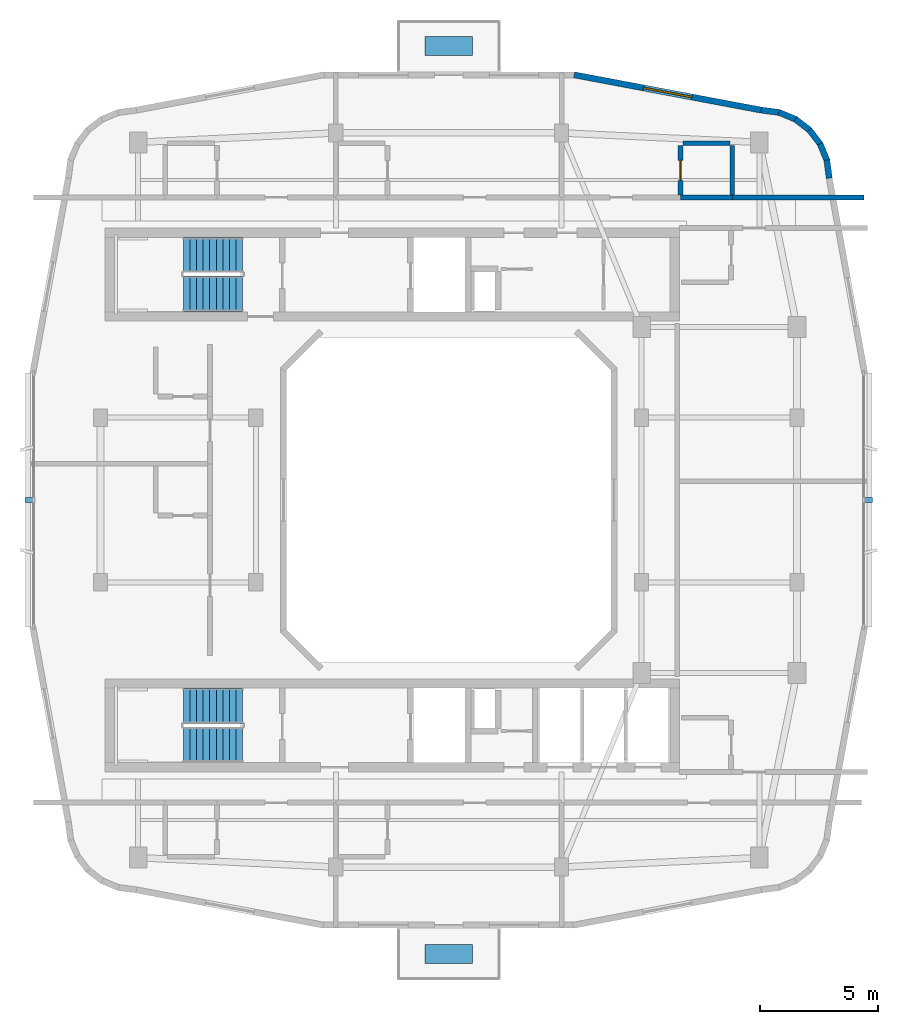
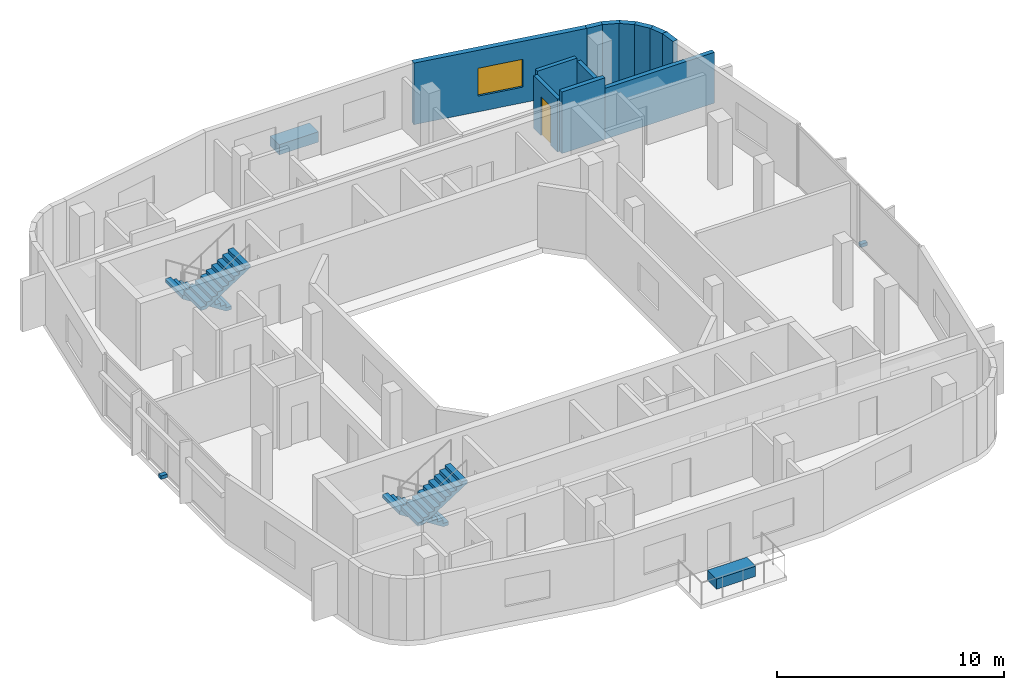
# One storey, part 7 of 10: 12 walls, 4 discrete accessories, 4 stair flights, 1 door, 1 window, 2 openings, 2 elements without a shape of their own.
"""IFC4 building model written with IfcOpenShell, lengths in metres."""

import ifcopenshell
import ifcopenshell.guid

model = None  # the IFC model being written
_history = None  # IfcOwnerHistory: only IFC2X3 demands one
_inside = {}  # id of a spatial element -> (the spatial element, [elements in it])
_under = {}  # id of a project, library or spatial element -> (it, [spatial elements below it])
_declared = {}  # id of a project -> (the project, [libraries it declares])
_typed = {}  # id of a type object -> (the type object, [elements of that type])
_made_of = {}  # id of a material, layer set ... -> (it, [elements and type objects made of it])


def new_model(schema):
    """Start an empty IFC model of exactly this schema.

    Asked for "IFC4X3", IfcOpenShell would pick the latest addendum, in which some entities
    have other attributes; the version numbers below select the first issue.
    IFC2X3 requires an IfcOwnerHistory on every rooted entity: one is made here for all.
    """
    global model, _history
    if schema == "IFC4X3":
        model = ifcopenshell.file(schema_version=(4, 3, 0, 0))
    else:
        model = ifcopenshell.file(schema=schema)
    _inside.clear()
    _under.clear()
    _declared.clear()
    _typed.clear()
    _made_of.clear()
    _history = None
    if model.schema == "IFC2X3":
        org = make("IfcOrganization", Name="unknown")
        user = make(
            "IfcPersonAndOrganization",
            ThePerson=make("IfcPerson", FamilyName="unknown"),
            TheOrganization=org,
        )
        app = make(
            "IfcApplication",
            ApplicationDeveloper=org,
            Version="unknown",
            ApplicationFullName="unknown",
            ApplicationIdentifier="unknown",
        )
        _history = make(
            "IfcOwnerHistory",
            OwningUser=user,
            OwningApplication=app,
            ChangeAction="ADDED",
            CreationDate=0,
        )
    return model


def make(cls, **values):
    """One entity of the class cls with the attributes given. An attribute that is None is left unset."""
    return model.create_entity(
        cls, **{name: value for name, value in values.items() if value is not None}
    )


def rooted(cls, **values):
    """An entity with a GlobalId (a new one), such as an element, a storey or a relation."""
    return make(cls, GlobalId=ifcopenshell.guid.new(), OwnerHistory=_history, **values)


def si_unit(unit_type, name, prefix=None):
    """IfcSIUnit, for example si_unit("LENGTHUNIT", "METRE", prefix="MILLI")."""
    return make("IfcSIUnit", UnitType=unit_type, Prefix=prefix, Name=name)


def derived_unit(unit_type, elements):
    """IfcDerivedUnit: a product of units, each with its exponent."""
    return make(
        "IfcDerivedUnit",
        Elements=[
            make("IfcDerivedUnitElement", Unit=unit, Exponent=power)
            for unit, power in elements
        ],
        UnitType=unit_type,
    )


def assignment(units):
    """IfcUnitAssignment: the units of a project."""
    return None if units is None else make("IfcUnitAssignment", Units=units)


def point(xyz):
    """IfcCartesianPoint."""
    return None if xyz is None else make("IfcCartesianPoint", Coordinates=xyz)


def direction(xyz):
    """IfcDirection."""
    return None if xyz is None else make("IfcDirection", DirectionRatios=xyz)


def frame(location, z_axis=None, x_axis=None):
    """IfcAxis2Placement3D, a coordinate frame: its origin and axes. An axis left out is left unset."""
    return make(
        "IfcAxis2Placement3D",
        Location=point(location),
        Axis=direction(z_axis),
        RefDirection=direction(x_axis),
    )


def frame_2d(location, x_axis=None):
    """IfcAxis2Placement2D, a coordinate frame in the plane: its origin and x axis."""
    return make(
        "IfcAxis2Placement2D", Location=point(location), RefDirection=direction(x_axis)
    )


def origin():
    """The frame at (0, 0, 0) with its axes left unset."""
    return frame((0.0, 0.0, 0.0))


def origin_2d():
    """The frame at (0, 0) in the plane with its x axis left unset."""
    return frame_2d((0.0, 0.0))


def place(relative_to, where):
    """IfcLocalPlacement: puts the frame where relative to a parent placement (None: the world)."""
    return make(
        "IfcLocalPlacement", PlacementRelTo=relative_to, RelativePlacement=where
    )


def context(
    kind, dimensions, precision=None, world=None, true_north=None, identifier=None
):
    """IfcGeometricRepresentationContext, for example the 3D "Model" context."""
    return make(
        "IfcGeometricRepresentationContext",
        ContextIdentifier=identifier,
        ContextType=kind,
        CoordinateSpaceDimension=dimensions,
        Precision=precision,
        WorldCoordinateSystem=world,
        TrueNorth=true_north,
    )


def subcontext(parent, identifier, kind, view, scale=None):
    """IfcGeometricRepresentationSubContext, for example "Body" below "Model"."""
    return make(
        "IfcGeometricRepresentationSubContext",
        ContextIdentifier=identifier,
        ContextType=kind,
        ParentContext=parent,
        TargetScale=scale,
        TargetView=view,
    )


def project(units=None, contexts=None):
    """IfcProject with its units and contexts."""
    return rooted(
        "IfcProject",
        Name="project",
        RepresentationContexts=contexts,
        UnitsInContext=assignment(units),
    )


def spatial(cls, under=None, at=None, **own):
    """A site, building, storey or space (cls), placed at a placement, below another one or the project."""
    s = rooted(cls, ObjectPlacement=at, **own)
    if under is not None:
        _under.setdefault(under.id(), (under, []))[1].append(s)
    return s


def polyline(points):
    """IfcPolyline through the points."""
    return make("IfcPolyline", Points=[point(p) for p in points])


def profile(cls, at=None, kind="AREA", **sizes):
    """A parametric profile (cls). Its sizes go by their IFC names, for example OverallWidth=200.0."""
    return make(cls, ProfileType=kind, Position=at, **sizes)


def rectangle(**sizes):
    """IfcRectangleProfileDef."""
    return profile("IfcRectangleProfileDef", **sizes)


def outline(outer, holes=None, kind="AREA"):
    """IfcArbitraryClosedProfileDef: a profile drawn as a closed curve; with holes, ...WithVoids."""
    if holes is None:
        return make("IfcArbitraryClosedProfileDef", ProfileType=kind, OuterCurve=outer)
    return make(
        "IfcArbitraryProfileDefWithVoids",
        ProfileType=kind,
        OuterCurve=outer,
        InnerCurves=holes,
    )


def extrude(swept, where, along, depth):
    """IfcExtrudedAreaSolid: the profile swept, set in the frame where, extruded along a direction by depth."""
    return make(
        "IfcExtrudedAreaSolid",
        SweptArea=swept,
        Position=where,
        ExtrudedDirection=direction(along),
        Depth=depth,
    )


def shape(context_of_items, identifier, shape_type, items):
    """IfcShapeRepresentation: the items that make up one representation, for example the "Body"."""
    return make(
        "IfcShapeRepresentation",
        ContextOfItems=context_of_items,
        RepresentationIdentifier=identifier,
        RepresentationType=shape_type,
        Items=items,
    )


def material(Name=None, Category=None):
    """IfcMaterial."""
    return make("IfcMaterial", Name=Name, Category=Category)


def layer(
    of_material, thickness, ventilated=None, Name=None, Category=None, Priority=None
):
    """IfcMaterialLayer: one layer of a wall or slab, of a material (None: an air gap)."""
    return make(
        "IfcMaterialLayer",
        Material=of_material,
        LayerThickness=thickness,
        IsVentilated=ventilated,
        Name=Name,
        Category=Category,
        Priority=Priority,
    )


def layer_set(layers, Name=None):
    """IfcMaterialLayerSet."""
    return make("IfcMaterialLayerSet", MaterialLayers=layers, LayerSetName=Name)


def made_of(thing, what):
    """Note that an element or type object is made of a material, layer set ...; save() writes the relation."""
    if what is not None:
        _made_of.setdefault(what.id(), (what, []))[1].append(thing)
    return thing


def type_object(cls, material=None, **own):
    """A type object (cls), such as IfcWallType, which elements share."""
    return made_of(rooted(cls, **own), material)


def element(
    cls,
    number,
    at=None,
    inside=None,
    cuts=None,
    type_object=None,
    material=None,
    context=None,
    identifier="Body",
    shape_type=None,
    held_by="IfcProductDefinitionShape",
    body=None,
    shapes=None,
    **own,
):
    """One element of the class cls, such as IfcWall. Its Tag is "e" and its number.

    at: its placement. inside: the storey or other place that contains it. cuts: it is an
    opening in that element (IfcRelVoidsElement). A single representation is given by context,
    identifier, shape_type and body (its items); several are given by shapes. held_by: the class
    of the entity that holds the representations. save() writes the other relations.
    """
    e = rooted(cls, Tag="e%d" % number, ObjectPlacement=at, **own)
    if body is not None:
        shapes = [shape(context, identifier, shape_type, body)]
    if shapes is not None:
        e.Representation = make(held_by, Representations=shapes)
    if inside is not None:
        _inside.setdefault(inside.id(), (inside, []))[1].append(e)
    if cuts is not None:
        rooted(
            "IfcRelVoidsElement", RelatingBuildingElement=cuts, RelatedOpeningElement=e
        )
    if type_object is not None:
        _typed.setdefault(type_object.id(), (type_object, []))[1].append(e)
    return made_of(e, material)


def fill(opening, filler):
    """IfcRelFillsElement: the door or window that sits in an opening."""
    return rooted(
        "IfcRelFillsElement",
        RelatingOpeningElement=opening,
        RelatedBuildingElement=filler,
    )


def aggregate(whole, parts):
    """IfcRelAggregates: a whole, such as a stair, and the parts it consists of."""
    return rooted("IfcRelAggregates", RelatingObject=whole, RelatedObjects=parts)


def save(model, path):
    """Write the relations noted so far, then the file.

    IfcRelAggregates (storeys below a building ...), IfcRelContainedInSpatialStructure (elements
    in a storey), IfcRelDefinesByType, IfcRelAssociatesMaterial and IfcRelDeclares: one each for
    every whole, place, type object, material and project.
    """
    for whole, parts in _under.values():
        aggregate(whole, parts)
    for where, things in _inside.values():
        rooted(
            "IfcRelContainedInSpatialStructure",
            RelatedElements=things,
            RelatingStructure=where,
        )
    for kind, things in _typed.values():
        rooted("IfcRelDefinesByType", RelatedObjects=things, RelatingType=kind)
    for what, things in _made_of.values():
        rooted("IfcRelAssociatesMaterial", RelatedObjects=things, RelatingMaterial=what)
    for by, libraries in _declared.values():
        rooted("IfcRelDeclares", RelatingContext=by, RelatedDefinitions=libraries)
    model.write(path)


model = new_model("IFC4")

# Units and contexts
model_context = context("Model", 3, precision=1e-05, world=origin(), true_north=direction((0.0, 1.0)))
body_context = subcontext(model_context, "Body", "Model", "MODEL_VIEW")
ifc_project = project(units=[si_unit("LENGTHUNIT", "METRE"), si_unit("AREAUNIT", "SQUARE_METRE"), si_unit("VOLUMEUNIT", "CUBIC_METRE"), si_unit("PLANEANGLEUNIT", "RADIAN"), si_unit("MASSUNIT", "GRAM", prefix="KILO"), derived_unit("THERMALTRANSMITTANCEUNIT", [(si_unit("POWERUNIT", "WATT"), 1), (si_unit("LENGTHUNIT", "METRE"), -2), (si_unit("THERMODYNAMICTEMPERATUREUNIT", "KELVIN"), -1)])], contexts=[model_context])

# Site, building, storey
site_placement = place(None, origin())
site = spatial("IfcSite", under=ifc_project, at=site_placement, CompositionType="ELEMENT")
building_placement = place(site_placement, origin())
building = spatial("IfcBuilding", under=site, at=building_placement, Name="Kivonza Crest Hotel", CompositionType="ELEMENT")
storey_placement = place(building_placement, frame((0.0, 0.0, 254.0)))
storey = spatial("IfcBuildingStorey", under=building, at=storey_placement, Name="L69", CompositionType="ELEMENT", Elevation=254.0)

# Walls
ifc_material_1 = material(Name="Autoclaved aerated concrete blockwork", Category="masonry")
ifc_layer_1 = layer(ifc_material_1, 0.219970703125)
ifc_layer_set_1 = layer_set([ifc_layer_1], Name="Autoclaved aerated concrete blockwork")
wall_type_1 = type_object("IfcWallType", Name="WL-ACOU-220", PredefinedType="SOLIDWALL", material=ifc_layer_set_1)
wall_1_placement = place(storey_placement, frame((33.050048828125, 37.860107421875, 0.0), z_axis=(0.0, 0.0, 1.0), x_axis=(1.0, 0.0, 0.0)))
element("IfcWall", 1, at=wall_1_placement, inside=storey, type_object=wall_type_1, Name="L69 interior partition WA-L69-N03-XCORR", PredefinedType="SOLIDWALL", context=body_context, shape_type="SweptSolid", body=[
    extrude(rectangle(XDim=5.58984375, YDim=0.219970703125, at=frame_2d((2.794921875, 0.0))), origin(), (0.0, 0.0, 1.0), 2.7451171875),
])
wall_2_placement = place(storey_placement, frame((30.85009765625, 37.860107421875, 0.0), z_axis=(0.0, 0.0, 1.0), x_axis=(1.0, 0.0, 0.0)))
element("IfcWall", 2, at=wall_2_placement, inside=storey, type_object=wall_type_1, Name="L69 interior partition WA-L69-N03-BCORR", PredefinedType="SOLIDWALL", context=body_context, shape_type="SweptSolid", body=[
    extrude(rectangle(XDim=2.199951171875, YDim=0.219970703125, at=frame_2d((1.10009765625, 0.0))), origin(), (0.0, 0.0, 1.0), 3.320068359375),
])
ifc_material_2 = material(Name="Precast concrete C40/50", Category="concrete")
ifc_layer_2 = layer(ifc_material_2, 0.260009765625)
ifc_layer_set_2 = layer_set([ifc_layer_2], Name="Precast concrete C40/50")
wall_type_2 = type_object("IfcWallType", Name="WL-EXT-260", PredefinedType="STANDARD", material=ifc_layer_set_2)
wall_3_placement = place(storey_placement, frame((37.172119140625, 38.675048828125, 0.0), z_axis=(0.0, 0.0, 1.0), x_axis=(-0.130729574419, 0.991418064377, 0.0)))
element("IfcWall", 3, at=wall_3_placement, inside=storey, type_object=wall_type_2, Name="L69 T1 exterior insulated wall 19", PredefinedType="STANDARD", context=body_context, shape_type="SweptSolid", body=[
    extrude(rectangle(XDim=0.780517578125, YDim=0.260009765625, at=frame_2d((0.39013671875, 0.0))), origin(), (0.0, 0.0, 1.0), 3.320068359375),
])
wall_4_placement = place(storey_placement, frame((37.087890625, 39.403076171875, 0.0), z_axis=(0.0, 0.0, 1.0), x_axis=(-0.382900540965, 0.923789573295, 0.0)))
element("IfcWall", 4, at=wall_4_placement, inside=storey, type_object=wall_type_2, Name="L69 T1 exterior insulated wall 20", PredefinedType="STANDARD", context=body_context, shape_type="SweptSolid", body=[
    extrude(rectangle(XDim=0.798828125, YDim=0.260009765625, at=frame_2d((0.3994140625, 0.0))), origin(), (0.0, 0.0, 1.0), 3.320068359375),
])
wall_5_placement = place(storey_placement, frame((36.81005859375, 40.10107421875, 0.0), z_axis=(0.0, 0.0, 1.0), x_axis=(-0.60916352983, 0.793044635519, 0.0)))
element("IfcWall", 5, at=wall_5_placement, inside=storey, type_object=wall_type_2, Name="L69 T1 exterior insulated wall 21", PredefinedType="STANDARD", context=body_context, shape_type="SweptSolid", body=[
    extrude(rectangle(XDim=0.7978515625, YDim=0.260009765625, at=frame_2d((0.39892578125, 0.0))), origin(), (0.0, 0.0, 1.0), 3.320068359375),
])
wall_6_placement = place(storey_placement, frame((36.362060546875, 40.702880859375, 0.0), z_axis=(0.0, 0.0, 1.0), x_axis=(-0.793158129381, 0.609015748398, 0.0)))
element("IfcWall", 6, at=wall_6_placement, inside=storey, type_object=wall_type_2, Name="L69 T1 exterior insulated wall 22", PredefinedType="STANDARD", context=body_context, shape_type="SweptSolid", body=[
    extrude(rectangle(XDim=0.798095703125, YDim=0.260009765625, at=frame_2d((0.39892578125, 0.0))), origin(), (0.0, 0.0, 1.0), 3.320068359375),
])
wall_7_placement = place(storey_placement, frame((35.77294921875, 41.16796875, 0.0), z_axis=(0.0, 0.0, 1.0), x_axis=(-0.923681457047, 0.383161279238, 0.0)))
element("IfcWall", 7, at=wall_7_placement, inside=storey, type_object=wall_type_2, Name="L69 T1 exterior insulated wall 23", PredefinedType="STANDARD", context=body_context, shape_type="SweptSolid", body=[
    extrude(rectangle(XDim=0.799072265625, YDim=0.260009765625, at=frame_2d((0.3994140625, 0.0))), origin(), (0.0, 0.0, 1.0), 3.320068359375),
])
wall_8_placement = place(storey_placement, frame((35.083984375, 41.466064453125, 0.0), z_axis=(0.0, 0.0, 1.0), x_axis=(-0.99153354416, 0.129850802102, 0.0)))
element("IfcWall", 8, at=wall_8_placement, inside=storey, type_object=wall_type_2, Name="L69 T1 exterior insulated wall 24", PredefinedType="STANDARD", context=body_context, shape_type="SweptSolid", body=[
    extrude(rectangle(XDim=0.81591796875, YDim=0.260009765625, at=frame_2d((0.407958984375, 0.0))), origin(), (0.0, 0.0, 1.0), 3.320068359375),
])

# Wall, opening, window
wall_9_placement = place(storey_placement, frame((34.283935546875, 41.571044921875, 0.0), z_axis=(0.0, 0.0, 1.0), x_axis=(-0.982717573718, 0.185111237656, 0.0)))
wall_9 = element("IfcWall", 9, at=wall_9_placement, inside=storey, type_object=wall_type_2, Name="L69 T1 exterior insulated wall 25", PredefinedType="STANDARD", context=body_context, shape_type="SweptSolid", body=[
    extrude(rectangle(XDim=8.097900390625, YDim=0.260009765625, at=frame_2d((4.048828125, 0.0))), origin(), (0.0, 0.0, 1.0), 3.320068359375),
])
opening_1_placement = place(wall_9_placement, frame((2.9990234375, 0.0, 0.85009765625)))
opening_1 = element("IfcOpeningElement", 10, at=opening_1_placement, cuts=wall_9, Name="Opening WN-04", PredefinedType="OPENING", context=body_context, shape_type="SweptSolid", body=[
    extrude(rectangle(XDim=2.10009765625, YDim=1.5, at=frame_2d((1.050048828125, 0.75))), frame((0.0, 0.14013671875, 0.0), z_axis=(0.0, -1.0, 0.0), x_axis=(1.0, 0.0, 0.0)), (0.0, 0.0, 1.0), 0.280029296875),
])
ifc_material_3 = material(Name="Thermally broken bronze aluminium and low-E double glazing", Category="aluminium")
window_type = type_object("IfcWindowType", Name="WN-210x150", PartitioningType="DOUBLE_PANEL_VERTICAL", PredefinedType="WINDOW", material=ifc_material_3)
window_placement = place(opening_1_placement, origin())
window = element("IfcWindow", 11, at=window_placement, inside=storey, type_object=window_type, Name="L69 T1 facade window 25", OverallHeight=1.5, OverallWidth=2.10009765625, PartitioningType="SINGLE_PANEL", PredefinedType="WINDOW", context=body_context, shape_type="SweptSolid", body=[
    extrude(rectangle(XDim=2.10009765625, YDim=1.5, at=frame_2d((1.050048828125, 0.75))), frame((0.0, 0.030029296875, 0.0), z_axis=(0.0, -1.0, 0.0), x_axis=(1.0, 0.0, 0.0)), (0.0, 0.0, 1.0), 0.06005859375),
])
fill(opening_1, window)

# Wall, opening, door
ifc_material_4 = material(Name="Moisture-resistant plumbing chase partition wall", Category="gypsum")
ifc_layer_3 = layer(ifc_material_4, 0.199951171875)
ifc_layer_set_3 = layer_set([ifc_layer_3], Name="Moisture-resistant plumbing chase partition wall")
wall_type_3 = type_object("IfcWallType", Name="WL-PLUMB-200", PredefinedType="PLUMBINGWALL", material=ifc_layer_set_3)
wall_10_placement = place(storey_placement, frame((30.85009765625, 37.9599609375, 0.0), z_axis=(0.0, 0.0, 1.0), x_axis=(0.0, 1.0, 0.0)))
wall_10 = element("IfcWall", 12, at=wall_10_placement, inside=storey, type_object=wall_type_3, Name="L69 interior partition WW-L69-N03-BV", PredefinedType="PLUMBINGWALL", context=body_context, shape_type="SweptSolid", body=[
    extrude(rectangle(XDim=2.10009765625, YDim=0.199951171875, at=frame_2d((1.050048828125, 0.0))), origin(), (0.0, 0.0, 1.0), 2.844970703125),
])
opening_2_placement = place(wall_10_placement, frame((0.625, 0.0, 0.0)))
opening_2 = element("IfcOpeningElement", 13, at=opening_2_placement, cuts=wall_10, Name="Opening DI-85", PredefinedType="OPENING", context=body_context, shape_type="SweptSolid", body=[
    extrude(rectangle(XDim=0.85009765625, YDim=2.10009765625, at=frame_2d((0.425048828125, 1.050048828125))), frame((0.0, 0.10986328125, 0.0), z_axis=(0.0, -1.0, 0.0), x_axis=(1.0, 0.0, 0.0)), (0.0, 0.0, 1.0), 0.219970703125),
])
ifc_material_5 = material(Name="Hardwood timber oak", Category="wood")
door_type = type_object("IfcDoorType", Name="DR-INT-850", OperationType="NOTDEFINED", PredefinedType="DOOR", material=ifc_material_5)
door_placement = place(opening_2_placement, origin())
door = element("IfcDoor", 14, at=door_placement, inside=storey, type_object=door_type, Name="L69 N03 en-suite bathroom door", OperationType="SINGLE_SWING_RIGHT", OverallHeight=2.10009765625, OverallWidth=0.85009765625, PredefinedType="DOOR", context=body_context, shape_type="SweptSolid", body=[
    extrude(rectangle(XDim=0.85009765625, YDim=2.10009765625, at=frame_2d((0.425048828125, 1.050048828125))), frame((0.0, 0.02490234375, 0.0), z_axis=(0.0, -1.0, 0.0), x_axis=(1.0, 0.0, 0.0)), (0.0, 0.0, 1.0), 0.050048828125),
])
fill(opening_2, door)

# Walls
wall_11_placement = place(storey_placement, frame((30.949951171875, 40.159912109375, 0.0), z_axis=(0.0, 0.0, 1.0), x_axis=(1.0, 0.0, 0.0)))
element("IfcWall", 15, at=wall_11_placement, inside=storey, type_object=wall_type_3, Name="L69 interior partition WW-L69-N03-BH", PredefinedType="PLUMBINGWALL", context=body_context, shape_type="SweptSolid", body=[
    extrude(rectangle(XDim=2.0, YDim=0.199951171875, at=frame_2d((1.0, 0.0))), origin(), (0.0, 0.0, 1.0), 3.014892578125),
])
wall_12_placement = place(storey_placement, frame((33.050048828125, 37.9599609375, 0.0), z_axis=(0.0, 0.0, 1.0), x_axis=(0.0, 1.0, 0.0)))
element("IfcWall", 16, at=wall_12_placement, inside=storey, type_object=wall_type_3, Name="L69 interior partition WW-L69-N03-BVE", PredefinedType="PLUMBINGWALL", context=body_context, shape_type="SweptSolid", body=[
    extrude(rectangle(XDim=2.10009765625, YDim=0.199951171875, at=frame_2d((1.050048828125, 0.0))), origin(), (0.0, 0.0, 1.0), 2.844970703125),
])

# Stair, stair flights
ifc_material_6 = material(Name="Concrete C40/50", Category="concrete")
stair_type = type_object("IfcStairType", Name="ST-DL-20R", PredefinedType="HALF_TURN_STAIR", material=ifc_material_6)
stair_1_placement = place(storey_placement, origin())
stair_1 = element("IfcStair", 17, at=stair_1_placement, inside=storey, type_object=stair_type, Name="L69 Protected Exit Stair ST-T1-N", PredefinedType="HALF_TURN_STAIR")
stair_flight_type = type_object("IfcStairFlightType", Name="SFL-RC-10R", PredefinedType="STRAIGHT", material=ifc_material_6)
stair_flight_1_placement = place(storey_placement, frame((12.239990234375, 35.409912109375, 0.0), z_axis=(0.0, 0.0, 1.0), x_axis=(-1.0, 0.0, 0.0)))
stair_flight_1 = element("IfcStairFlight", 18, at=stair_flight_1_placement, type_object=stair_flight_type, Name="ST-T1-N flight 1", NumberOfRisers=10, NumberOfTreads=9, PredefinedType="STRAIGHT", RiserHeight=0.18, TreadLength=0.28, context=body_context, shape_type="SweptSolid", body=[
    extrude(outline(polyline([(0.0, 0.0), (0.0, 0.179931640625), (0.280029296875, 0.179931640625), (0.280029296875, 0.360107421875), (0.56005859375, 0.360107421875), (0.56005859375, 0.5400390625), (0.840087890625, 0.5400390625), (0.840087890625, 0.719970703125), (1.1201171875, 0.719970703125), (1.1201171875, 0.89990234375), (1.39990234375, 0.89990234375), (1.39990234375, 1.080078125), (1.679931640625, 1.080078125), (1.679931640625, 1.260009765625), (1.9599609375, 1.260009765625), (1.9599609375, 1.43994140625), (2.239990234375, 1.43994140625), (2.239990234375, 1.6201171875), (2.52001953125, 1.6201171875), (2.52001953125, 1.800048828125), (2.52001953125, 1.44189453125), (0.277099609375, 0.0), (0.0, 0.0)])), frame((0.0, 0.75, 0.0), z_axis=(0.0, -1.0, 0.0), x_axis=(1.0, 0.0, 0.0)), (0.0, 0.0, 1.0), 1.5),
])
stair_flight_2_placement = place(storey_placement, frame((9.719970703125, 33.77001953125, 1.800048828125), z_axis=(0.0, 0.0, 1.0), x_axis=(1.0, 0.0, 0.0)))
stair_flight_2 = element("IfcStairFlight", 19, at=stair_flight_2_placement, type_object=stair_flight_type, Name="ST-T1-N flight 2", NumberOfRisers=10, NumberOfTreads=9, PredefinedType="STRAIGHT", RiserHeight=0.18, TreadLength=0.28, context=body_context, shape_type="SweptSolid", body=[
    extrude(outline(polyline([(0.0, 0.0), (0.0, 0.179931640625), (0.280029296875, 0.179931640625), (0.280029296875, 0.360107421875), (0.56005859375, 0.360107421875), (0.56005859375, 0.5400390625), (0.840087890625, 0.5400390625), (0.840087890625, 0.719970703125), (1.1201171875, 0.719970703125), (1.1201171875, 0.89990234375), (1.39990234375, 0.89990234375), (1.39990234375, 1.080078125), (1.679931640625, 1.080078125), (1.679931640625, 1.260009765625), (1.9599609375, 1.260009765625), (1.9599609375, 1.43994140625), (2.239990234375, 1.43994140625), (2.239990234375, 1.6201171875), (2.52001953125, 1.6201171875), (2.52001953125, 1.800048828125), (2.52001953125, 1.44189453125), (0.277099609375, 0.0), (0.0, 0.0)])), frame((0.0, 0.75, 0.0), z_axis=(0.0, -1.0, 0.0), x_axis=(1.0, 0.0, 0.0)), (0.0, 0.0, 1.0), 1.5),
])
aggregate(stair_1, [stair_flight_1, stair_flight_2])

stair_2_placement = place(storey_placement, origin())
stair_2 = element("IfcStair", 20, at=stair_2_placement, inside=storey, type_object=stair_type, Name="L69 Protected Exit Stair ST-T1-S", PredefinedType="HALF_TURN_STAIR")
stair_flight_3_placement = place(storey_placement, frame((12.239990234375, 16.25, 0.0), z_axis=(0.0, 0.0, 1.0), x_axis=(-1.0, 0.0, 0.0)))
stair_flight_3 = element("IfcStairFlight", 21, at=stair_flight_3_placement, type_object=stair_flight_type, Name="ST-T1-S flight 1", NumberOfRisers=10, NumberOfTreads=9, PredefinedType="STRAIGHT", RiserHeight=0.18, TreadLength=0.28, context=body_context, shape_type="SweptSolid", body=[
    extrude(outline(polyline([(0.0, 0.0), (0.0, 0.179931640625), (0.280029296875, 0.179931640625), (0.280029296875, 0.360107421875), (0.56005859375, 0.360107421875), (0.56005859375, 0.5400390625), (0.840087890625, 0.5400390625), (0.840087890625, 0.719970703125), (1.1201171875, 0.719970703125), (1.1201171875, 0.89990234375), (1.39990234375, 0.89990234375), (1.39990234375, 1.080078125), (1.679931640625, 1.080078125), (1.679931640625, 1.260009765625), (1.9599609375, 1.260009765625), (1.9599609375, 1.43994140625), (2.239990234375, 1.43994140625), (2.239990234375, 1.6201171875), (2.52001953125, 1.6201171875), (2.52001953125, 1.800048828125), (2.52001953125, 1.44189453125), (0.277099609375, 0.0), (0.0, 0.0)])), frame((0.0, 0.75, 0.0), z_axis=(0.0, -1.0, 0.0), x_axis=(1.0, 0.0, 0.0)), (0.0, 0.0, 1.0), 1.5),
])
stair_flight_4_placement = place(storey_placement, frame((9.719970703125, 14.610107421875, 1.800048828125), z_axis=(0.0, 0.0, 1.0), x_axis=(1.0, 0.0, 0.0)))
stair_flight_4 = element("IfcStairFlight", 22, at=stair_flight_4_placement, type_object=stair_flight_type, Name="ST-T1-S flight 2", NumberOfRisers=10, NumberOfTreads=9, PredefinedType="STRAIGHT", RiserHeight=0.18, TreadLength=0.28, context=body_context, shape_type="SweptSolid", body=[
    extrude(outline(polyline([(0.0, 0.0), (0.0, 0.179931640625), (0.280029296875, 0.179931640625), (0.280029296875, 0.360107421875), (0.56005859375, 0.360107421875), (0.56005859375, 0.5400390625), (0.840087890625, 0.5400390625), (0.840087890625, 0.719970703125), (1.1201171875, 0.719970703125), (1.1201171875, 0.89990234375), (1.39990234375, 0.89990234375), (1.39990234375, 1.080078125), (1.679931640625, 1.080078125), (1.679931640625, 1.260009765625), (1.9599609375, 1.260009765625), (1.9599609375, 1.43994140625), (2.239990234375, 1.43994140625), (2.239990234375, 1.6201171875), (2.52001953125, 1.6201171875), (2.52001953125, 1.800048828125), (2.52001953125, 1.44189453125), (0.277099609375, 0.0), (0.0, 0.0)])), frame((0.0, 0.75, 0.0), z_axis=(0.0, -1.0, 0.0), x_axis=(1.0, 0.0, 0.0)), (0.0, 0.0, 1.0), 1.5),
])
aggregate(stair_2, [stair_flight_3, stair_flight_4])

# Discrete accessories
ifc_material_7 = material(Name="Stainless steel 316", Category="steel")
discrete_accessory_type_1 = type_object("IfcDiscreteAccessoryType", Name="AC-BRACKET-240", PredefinedType="BRACKET", material=ifc_material_7)
for number, where, z_axis, x_axis, name in (
    (23, (38.840087890625, 25.0, -0.009765625), (0.0, 0.0, 1.0), (0.0, 1.0, 0.0), "L69 terracotta baguette support bracket CW-T1-L69-17"),
    (24, (3.159912109375, 25.0, -0.009765625), (0.0, 0.0, 1.0), (0.0, -1.0, 0.0), "L69 terracotta baguette support bracket CW-T1-L69-35"),
):
    element("IfcDiscreteAccessory", number, at=place(storey_placement, frame(where, z_axis=z_axis, x_axis=x_axis)), inside=storey, type_object=discrete_accessory_type_1, Name=name, PredefinedType="BRACKET", context=body_context, shape_type="SweptSolid", body=[
        extrude(rectangle(XDim=0.219970703125, YDim=0.340087890625, at=origin_2d()), origin(), (0.0, 0.0, 1.0), 0.179931640625),
    ])
ifc_material_8 = material(Name="Precast GRC planter with engineered planting soil", Category="concrete")
discrete_accessory_type_2 = type_object("IfcDiscreteAccessoryType", Name="AC-PLANTER-1800", PredefinedType="USERDEFINED", material=ifc_material_8)
for number, where, z_axis, x_axis, name in (
    (25, (21.0, 5.699951171875, 0.0), (0.0, 0.0, 1.0), (1.0, 0.0, 0.0), "T1 L69 SW sky-garden planter"),
    (26, (21.0, 44.300048828125, 0.0), (0.0, 0.0, 1.0), (1.0, 0.0, 0.0), "T1 L69 NE sky-garden planter"),
):
    element("IfcDiscreteAccessory", number, at=place(storey_placement, frame(where, z_axis=z_axis, x_axis=x_axis)), inside=storey, type_object=discrete_accessory_type_2, Name=name, ObjectType="PLANTER", PredefinedType="USERDEFINED", context=body_context, shape_type="SweptSolid", body=[
        extrude(rectangle(XDim=2.0, YDim=0.800048828125, at=origin_2d()), origin(), (0.0, 0.0, 1.0), 0.550048828125),
    ])

save(model, "model.ifc")
